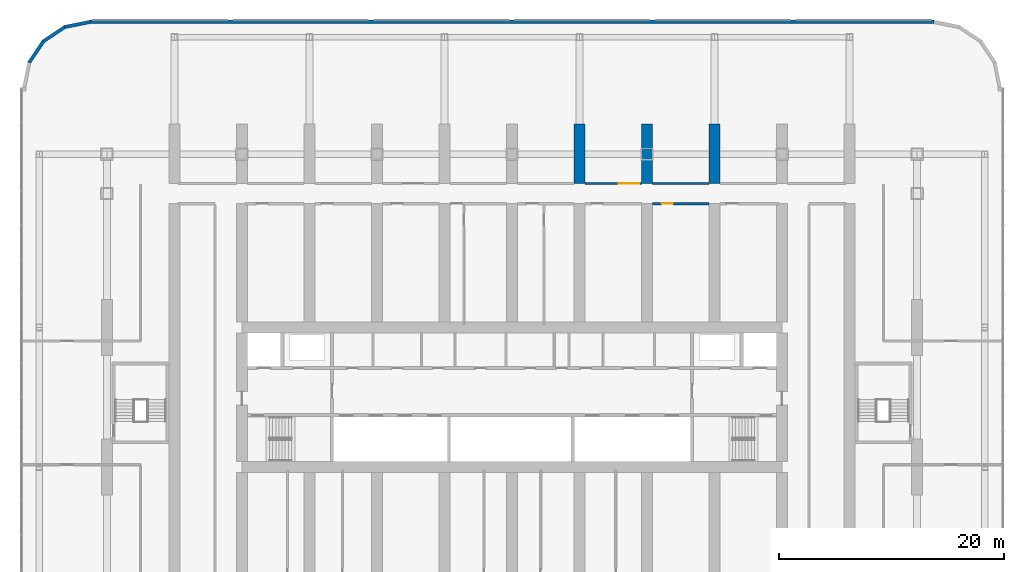
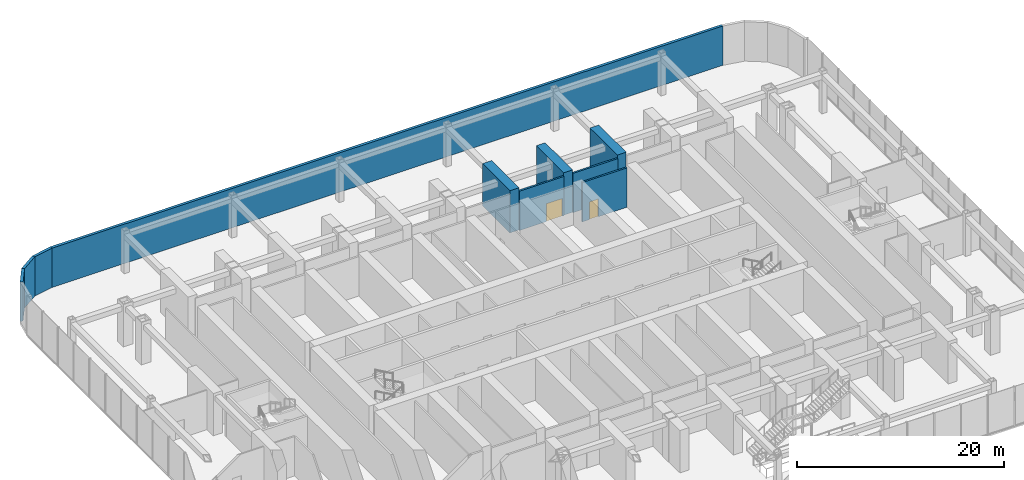
# One storey, part 18 of 37: 10 walls, 2 doors, 2 openings.
"""IFC4 building model written with IfcOpenShell, lengths in metres."""

from ifc_helpers import new_model, si_unit, direction, frame, frame_2d, origin, place, context, subcontext, project, spatial, polyline, rectangle, outline, extrude, material, layer, layer_set, type_object, element, fill, save


model = new_model("IFC4")

# Units and contexts
model_context = context("Model", 3, precision=1e-05, world=origin(), true_north=direction((0.0, 1.0)))
body_context = subcontext(model_context, "Body", "Model", "MODEL_VIEW")
ifc_project = project(units=[si_unit("LENGTHUNIT", "METRE"), si_unit("AREAUNIT", "SQUARE_METRE"), si_unit("VOLUMEUNIT", "CUBIC_METRE"), si_unit("PLANEANGLEUNIT", "RADIAN"), si_unit("MASSUNIT", "GRAM", prefix="KILO")], contexts=[model_context])

# Site, building, storey
site_placement = place(None, origin())
site = spatial("IfcSite", under=ifc_project, at=site_placement, CompositionType="ELEMENT")
building_placement = place(site_placement, origin())
building = spatial("IfcBuilding", under=site, at=building_placement, Name="Orbita Commons", CompositionType="ELEMENT")
storey_placement = place(building_placement, frame((0.0, 0.0, 6.0)))
storey = spatial("IfcBuildingStorey", under=building, at=storey_placement, Name="L01", CompositionType="ELEMENT", Elevation=6.0)

# Wall, opening, door
ifc_material_1 = material(Name="Concrete blockwork", Category="masonry")
ifc_layer_1 = layer(ifc_material_1, 0.199951171875)
ifc_layer_set_1 = layer_set([ifc_layer_1], Name="Concrete blockwork")
wall_type_1 = type_object("IfcWallType", Name="Corridor wall 200 blockwork", PredefinedType="SOLIDWALL", material=ifc_layer_set_1)
wall_1_placement = place(storey_placement, frame((48.5, 51.0, 0.0), z_axis=(0.0, 0.0, 1.0), x_axis=(1.0, 0.0, 0.0)))
wall_1 = element("IfcWall", 1, at=wall_1_placement, inside=storey, type_object=wall_type_1, Name="Corridor wall 200 blockwork L01", PredefinedType="SOLIDWALL", context=body_context, shape_type="SweptSolid", body=[
    extrude(rectangle(XDim=5.0, YDim=0.199951171875, at=frame_2d((2.5, 0.0))), origin(), (0.0, 0.0, 1.0), 4.64990234375),
])
opening_1_placement = place(wall_1_placement, frame((3.0, 0.0, 0.0)))
opening_1 = element("IfcOpeningElement", 2, at=opening_1_placement, cuts=wall_1, Name="Opening D07", PredefinedType="OPENING", context=body_context, shape_type="SweptSolid", body=[
    extrude(rectangle(XDim=1.800048828125, YDim=2.10009765625, at=frame_2d((0.89990234375, 1.050048828125))), frame((0.0, 0.10986328125, 0.0), z_axis=(0.0, -1.0, 0.0), x_axis=(1.0, 0.0, 0.0)), (0.0, 0.0, 1.0), 0.219970703125),
])
ifc_material_2 = material(Name="Steel-faced fire door leaf", Category="steel")
door_type_1 = type_object("IfcDoorType", Name="Double corridor door 20 min 1800x2100", OperationType="DOUBLE_DOOR_SINGLE_SWING", PredefinedType="DOOR", material=ifc_material_2)
door_1_placement = place(opening_1_placement, origin())
door_1 = element("IfcDoor", 3, at=door_1_placement, inside=storey, type_object=door_type_1, Name="Hall doors north", OperationType="DOUBLE_DOOR_SINGLE_SWING", OverallHeight=2.10009765625, OverallWidth=1.800048828125, PredefinedType="DOOR", context=body_context, shape_type="SweptSolid", body=[
    extrude(rectangle(XDim=1.800048828125, YDim=2.10009765625, at=frame_2d((0.89990234375, 1.050048828125))), frame((0.0, 0.02490234375, 0.0), z_axis=(0.0, -1.0, 0.0), x_axis=(1.0, 0.0, 0.0)), (0.0, 0.0, 1.0), 0.050048828125),
])
fill(opening_1, door_1)

# Wall
wall_2_placement = place(storey_placement, frame((54.5, 51.0, 0.0), z_axis=(0.0, 0.0, 1.0), x_axis=(1.0, 0.0, 0.0)))
element("IfcWall", 4, at=wall_2_placement, inside=storey, type_object=wall_type_1, Name="Corridor wall 200 blockwork L01", PredefinedType="SOLIDWALL", context=body_context, shape_type="SweptSolid", body=[
    extrude(rectangle(XDim=5.0, YDim=0.199951171875, at=frame_2d((2.5, 0.0))), origin(), (0.0, 0.0, 1.0), 4.64990234375),
])

# Wall, opening, door
wall_3_placement = place(storey_placement, frame((54.5, 49.199951171875, 0.0), z_axis=(0.0, 0.0, 1.0), x_axis=(1.0, 0.0, 0.0)))
wall_3 = element("IfcWall", 5, at=wall_3_placement, inside=storey, type_object=wall_type_1, Name="Corridor wall 200 blockwork L01", PredefinedType="SOLIDWALL", context=body_context, shape_type="SweptSolid", body=[
    extrude(rectangle(XDim=5.0, YDim=0.199951171875, at=frame_2d((2.5, 0.0))), origin(), (0.0, 0.0, 1.0), 4.64990234375),
])
opening_2_placement = place(wall_3_placement, frame((0.800048828125, 0.0, 0.0)))
opening_2 = element("IfcOpeningElement", 6, at=opening_2_placement, cuts=wall_3, Name="Opening D06", PredefinedType="OPENING", context=body_context, shape_type="SweptSolid", body=[
    extrude(rectangle(XDim=1.0, YDim=2.10009765625, at=frame_2d((0.5, 1.050048828125))), frame((0.0, 0.10986328125, 0.0), z_axis=(0.0, -1.0, 0.0), x_axis=(1.0, 0.0, 0.0)), (0.0, 0.0, 1.0), 0.219970703125),
])
ifc_material_3 = material(Name="Steel-faced fire door leaf", Category="steel")
door_type_2 = type_object("IfcDoorType", Name="Corridor door 20 min 1000x2100", OperationType="SINGLE_SWING_LEFT", PredefinedType="DOOR", material=ifc_material_3)
door_2_placement = place(opening_2_placement, origin())
door_2 = element("IfcDoor", 7, at=door_2_placement, inside=storey, type_object=door_type_2, Name="Room door", OperationType="SINGLE_SWING_LEFT", OverallHeight=2.10009765625, OverallWidth=1.0, PredefinedType="DOOR", context=body_context, shape_type="SweptSolid", body=[
    extrude(rectangle(XDim=1.0, YDim=2.10009765625, at=frame_2d((0.5, 1.050048828125))), frame((0.0, 0.02490234375, 0.0), z_axis=(0.0, -1.0, 0.0), x_axis=(1.0, 0.0, 0.0)), (0.0, 0.0, 1.0), 0.050048828125),
])
fill(opening_2, door_2)

# Walls
ifc_material_4 = material(Name="Concrete C50/60", Category="concrete")
ifc_layer_2 = layer(ifc_material_4, 1.0)
ifc_layer_set_2 = layer_set([ifc_layer_2], Name="Concrete C50/60")
wall_type_2 = type_object("IfcWallType", Name="Cross wall 1000 C50/60", PredefinedType="SHEAR", material=ifc_layer_set_2)
for number, where, z_axis, x_axis, name in (
    (8, (48.0, 51.0, 0.0), (0.0, 0.0, 1.0), (0.0, 1.0, 0.0), "Cross wall 9 north outer L01"),
    (9, (54.0, 51.0, 0.0), (0.0, 0.0, 1.0), (0.0, 1.0, 0.0), "Cross wall 10 north outer L01"),
    (10, (60.0, 51.0, 0.0), (0.0, 0.0, 1.0), (0.0, 1.0, 0.0), "Cross wall 11 north outer L01"),
):
    element("IfcWall", number, at=place(storey_placement, frame(where, z_axis=z_axis, x_axis=x_axis)), inside=storey, type_object=wall_type_2, Name=name, PredefinedType="SHEAR", context=body_context, shape_type="SweptSolid", body=[
        extrude(rectangle(XDim=5.300048828125, YDim=1.0, at=frame_2d((2.64990234375, 0.0))), origin(), (0.0, 0.0, 1.0), 5.0),
    ])
ifc_material_5 = material(Name="Precast concrete C40/50, white board-marked finish", Category="concrete")
ifc_layer_3 = layer(ifc_material_5, 0.300048828125)
ifc_layer_set_3 = layer_set([ifc_layer_3], Name="Precast concrete C40/50, white board-marked finish")
wall_type_3 = type_object("IfcWallType", Name="Precast concrete end shield 300", PredefinedType="SOLIDWALL", material=ifc_layer_set_3)
wall_4_placement = place(storey_placement, frame((79.5, 65.35009765625, 0.0), z_axis=(0.0, 0.0, 1.0), x_axis=(-1.0, 0.0, 0.0)))
element("IfcWall", 11, at=wall_4_placement, inside=storey, type_object=wall_type_3, Name="Podium north wall L01", PredefinedType="SOLIDWALL", context=body_context, shape_type="SweptSolid", body=[
    extrude(rectangle(XDim=75.0, YDim=0.300048828125, at=frame_2d((37.5, 0.0))), origin(), (0.0, 0.0, 1.0), 4.64990234375),
])
wall_5_placement = place(storey_placement, frame((4.5, 65.35009765625, 0.0), z_axis=(0.0, 0.0, 1.0), x_axis=(-0.98078582086, -0.195087604935, 0.0)))
element("IfcWall", 12, at=wall_5_placement, inside=storey, type_object=wall_type_3, Name="Podium corner wall NW 1 L01", PredefinedType="SOLIDWALL", context=body_context, shape_type="SweptSolid", body=[
    extrude(outline(polyline([(-0.02978515625, -0.14990234375), (2.3125, -0.14990234375), (2.2529296875, 0.14990234375), (0.02978515625, 0.14990234375), (-0.02978515625, -0.14990234375)])), origin(), (0.0, 0.0, 1.0), 4.64990234375),
])
for number, where, z_axis, x_axis, name in (
    (13, (2.26123046875, 64.90478515625, 0.0), (0.0, 0.0, 1.0), (-0.831490399244, -0.555539121903, 0.0), "Podium corner wall NW 2 L01"),
    (14, (0.36328125, 63.63671875, 0.0), (0.0, 0.0, 1.0), (-0.555539121903, -0.831490399244, 0.0), "Podium corner wall NW 3 L01"),
):
    element("IfcWall", number, at=place(storey_placement, frame(where, z_axis=z_axis, x_axis=x_axis)), inside=storey, type_object=wall_type_3, Name=name, PredefinedType="SOLIDWALL", context=body_context, shape_type="SweptSolid", body=[
        extrude(outline(polyline([(-0.02978515625, -0.14990234375), (2.312255859375, -0.14990234375), (2.252685546875, 0.14990234375), (0.02978515625, 0.14990234375), (-0.02978515625, -0.14990234375)])), origin(), (0.0, 0.0, 1.0), 4.64990234375),
    ])

save(model, "model.ifc")
